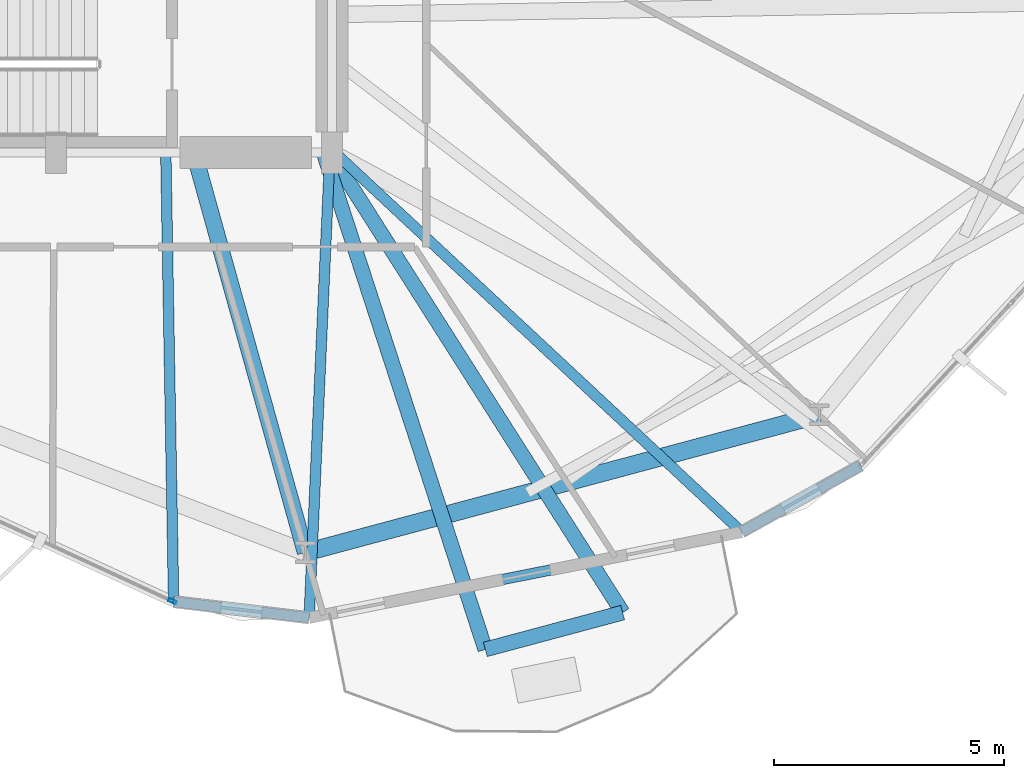
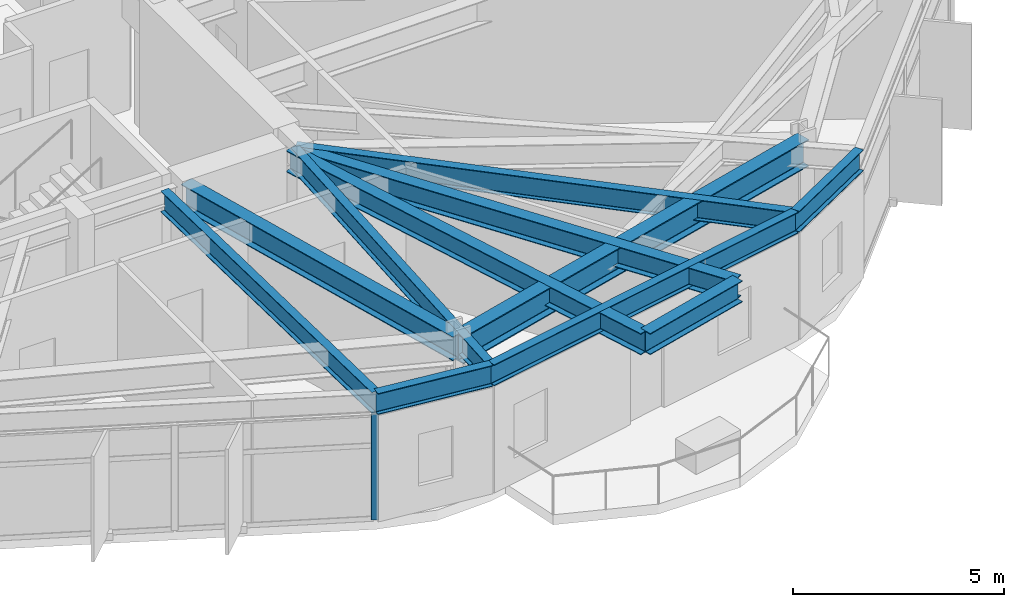
# One storey, part 4 of 22: 11 beams, 1 member, 1 element without a shape of its own.
"""IFC4 building model written with IfcOpenShell, lengths in metres."""

from ifc_helpers import new_model, si_unit, direction, frame, origin, origin_2d, place, context, subcontext, project, spatial, hollow_rectangle, i_section, extrude, material, layer, layer_set, material_profile, profile_set, type_object, element, aggregate, save


model = new_model("IFC4")

# Units and contexts
model_context = context("Model", 3, precision=1e-05, world=origin(), true_north=direction((0.0, 1.0)))
body_context = subcontext(model_context, "Body", "Model", "MODEL_VIEW")
ifc_project = project(units=[si_unit("LENGTHUNIT", "METRE"), si_unit("AREAUNIT", "SQUARE_METRE"), si_unit("VOLUMEUNIT", "CUBIC_METRE"), si_unit("PLANEANGLEUNIT", "RADIAN"), si_unit("MASSUNIT", "GRAM", prefix="KILO")], contexts=[model_context])

# Site, building, storey
site_placement = place(None, origin())
site = spatial("IfcSite", under=ifc_project, at=site_placement, CompositionType="ELEMENT")
building_placement = place(site_placement, origin())
building = spatial("IfcBuilding", under=site, at=building_placement, Name="Soratama Intermodal Tower", CompositionType="ELEMENT")
storey_placement = place(building_placement, frame((0.0, 0.0, 70.60009765625)))
storey = spatial("IfcBuildingStorey", under=building, at=storey_placement, Name="L16", CompositionType="ELEMENT", Elevation=70.60009765625)

# Beams
ifc_material_1 = material(Name="Structural steel ASTM A992 Grade 50", Category="steel")
ifc_material_profile_1 = material_profile(ifc_material_1, i_section(OverallWidth=0.324951171875, OverallDepth=0.615966796875, WebThickness=0.013916015625, FlangeThickness=0.021484375, FilletRadius=0.013916015625, at=origin_2d()), Name="W24X117")
ifc_profile_set_1 = profile_set([ifc_material_profile_1], Name="Structural steel ASTM A992 Grade 50")
beam_type_1 = type_object("IfcBeamType", Name="BM-CANT-W24X117", PredefinedType="BEAM", material=ifc_profile_set_1)
beam_1_placement = place(storey_placement, frame((47.93310546875, 4.197998046875, 3.391845703125), z_axis=(0.965926194008, 0.258817672753, 0.0), x_axis=(-0.258817672753, 0.965926194008, 0.0)))
element("IfcBeam", 1, at=beam_1_placement, inside=storey, type_object=beam_type_1, Name="BM-L16-CBHDR-3", PredefinedType="BEAM", context=body_context, shape_type="SweptSolid", body=[
    extrude(i_section(OverallWidth=0.324951171875, OverallDepth=0.615966796875, WebThickness=0.013916015625, FlangeThickness=0.021484375, FilletRadius=0.013916015625, at=origin_2d()), origin(), (0.0, 0.0, 1.0), 3.091064453125),
])
beam_2_placement = place(storey_placement, frame((44.429931640625, 14.9619140625, 3.391845703125), z_axis=(0.309477657573, -0.950906714385, 0.0), x_axis=(0.950906714385, 0.309477657573, 0.0)))
element("IfcBeam", 2, at=beam_2_placement, inside=storey, type_object=beam_type_1, Name="BM-L16-CANT-3-1", PredefinedType="BEAM", context=body_context, shape_type="SweptSolid", body=[
    extrude(i_section(OverallWidth=0.324951171875, OverallDepth=0.615966796875, WebThickness=0.013916015625, FlangeThickness=0.021484375, FilletRadius=0.013916015625, at=origin_2d()), origin(), (0.0, 0.0, 1.0), 11.319580078125),
])
beam_3_placement = place(storey_placement, frame((44.572021484375, 14.966064453125, 3.391845703125), z_axis=(0.537094711774, -0.843521944341, 0.0), x_axis=(0.843521944341, 0.537094711774, 0.0)))
element("IfcBeam", 3, at=beam_3_placement, inside=storey, type_object=beam_type_1, Name="BM-L16-CANT-3-2", PredefinedType="BEAM", context=body_context, shape_type="SweptSolid", body=[
    extrude(i_section(OverallWidth=0.324951171875, OverallDepth=0.615966796875, WebThickness=0.013916015625, FlangeThickness=0.021484375, FilletRadius=0.013916015625, at=origin_2d()), origin(), (0.0, 0.0, 1.0), 11.817138671875),
])
ifc_material_2 = material(Name="Structural steel ASTM A992 Grade 50", Category="steel")
ifc_material_profile_2 = material_profile(ifc_material_2, i_section(OverallWidth=0.35498046875, OverallDepth=0.695068359375, WebThickness=0.015380859375, FlangeThickness=0.02490234375, FilletRadius=0.01611328125, at=origin_2d()), Name="W27X146")
ifc_profile_set_2 = profile_set([ifc_material_profile_2], Name="Structural steel ASTM A992 Grade 50")
beam_type_2 = type_object("IfcBeamType", Name="BM-RING-W27X146", PredefinedType="BEAM", material=ifc_profile_set_2)
beam_4_placement = place(storey_placement, frame((41.60009765625, 15.0, 3.352294921875), z_axis=(0.26814752121, -0.963377862974, 0.0), x_axis=(0.963377862974, 0.26814752121, 0.0)))
element("IfcBeam", 4, at=beam_4_placement, inside=storey, type_object=beam_type_2, Name="BM-L16-RAD-08", PredefinedType="BEAM", context=body_context, shape_type="SweptSolid", body=[
    extrude(i_section(OverallWidth=0.35498046875, OverallDepth=0.695068359375, WebThickness=0.015380859375, FlangeThickness=0.02490234375, FilletRadius=0.01611328125, at=origin_2d()), origin(), (0.0, 0.0, 1.0), 9.024658203125),
])
ifc_material_3 = material(Name="Structural steel ASTM A992 Grade 50", Category="steel")
ifc_material_profile_3 = material_profile(ifc_material_3, i_section(OverallWidth=0.382080078125, OverallDepth=0.779052734375, WebThickness=0.01806640625, FlangeThickness=0.030029296875, FilletRadius=0.01806640625, at=origin_2d()), Name="W30X191")
ifc_profile_set_3 = profile_set([ifc_material_profile_3], Name="Structural steel ASTM A992 Grade 50")
beam_type_3 = type_object("IfcBeamType", Name="BM-RING-W30X191", PredefinedType="BEAM", material=ifc_profile_set_3)
beam_5_placement = place(storey_placement, frame((44.02001953125, 6.305908203125, 3.310302734375), z_axis=(0.965935902196, 0.258781438376, 0.0), x_axis=(-0.258781438376, 0.965935902196, 0.0)))
element("IfcBeam", 5, at=beam_5_placement, inside=storey, type_object=beam_type_3, Name="BM-L16-RING-08", PredefinedType="BEAM", context=body_context, shape_type="SweptSolid", body=[
    extrude(i_section(OverallWidth=0.382080078125, OverallDepth=0.779052734375, WebThickness=0.01806640625, FlangeThickness=0.030029296875, FilletRadius=0.01806640625, at=origin_2d()), origin(), (0.0, 0.0, 1.0), 11.570068359375),
])
ifc_material_4 = material(Name="Structural steel ASTM A992 Grade 50", Category="steel")
ifc_material_profile_4 = material_profile(ifc_material_4, i_section(OverallWidth=0.22900390625, OverallDepth=0.612060546875, WebThickness=0.011962890625, FlangeThickness=0.01953125, FilletRadius=0.012939453125, at=origin_2d()), Name="W24X84")
ifc_profile_set_4 = profile_set([ifc_material_profile_4], Name="Structural steel ASTM A992 Grade 50")
beam_type_4 = type_object("IfcBeamType", Name="BM-SPN-W24X84", PredefinedType="SPANDREL", material=ifc_profile_set_4)
beam_6_placement = place(storey_placement, frame((41.156005859375, 5.23388671875, 3.393798828125), z_axis=(0.993022501808, -0.117925022383, 0.0), x_axis=(0.117925022383, 0.993022501808, 0.0)))
element("IfcBeam", 6, at=beam_6_placement, inside=storey, type_object=beam_type_4, Name="BS-L16-CRN07", PredefinedType="SPANDREL", context=body_context, shape_type="SweptSolid", body=[
    extrude(i_section(OverallWidth=0.22900390625, OverallDepth=0.612060546875, WebThickness=0.011962890625, FlangeThickness=0.01953125, FilletRadius=0.012939453125, at=origin_2d()), origin(), (0.0, 0.0, 1.0), 2.966796875),
])
beam_7_placement = place(storey_placement, frame((44.10205078125, 4.884033203125, 3.393798828125), z_axis=(0.98088885747, 0.19456888058, 0.0), x_axis=(-0.19456888058, 0.98088885747, 0.0)))
element("IfcBeam", 7, at=beam_7_placement, inside=storey, type_object=beam_type_4, Name="BS-L16-F08", PredefinedType="SPANDREL", context=body_context, shape_type="SweptSolid", body=[
    extrude(i_section(OverallWidth=0.22900390625, OverallDepth=0.612060546875, WebThickness=0.011962890625, FlangeThickness=0.01953125, FilletRadius=0.012939453125, at=origin_2d()), origin(), (0.0, 0.0, 1.0), 9.59033203125),
])
beam_8_placement = place(storey_placement, frame((53.509033203125, 6.75, 3.393798828125), z_axis=(0.872759930087, 0.488149674212, 0.0), x_axis=(-0.488149674212, 0.872759930087, 0.0)))
element("IfcBeam", 8, at=beam_8_placement, inside=storey, type_object=beam_type_4, Name="BS-L16-CRN08", PredefinedType="SPANDREL", context=body_context, shape_type="SweptSolid", body=[
    extrude(i_section(OverallWidth=0.22900390625, OverallDepth=0.612060546875, WebThickness=0.011962890625, FlangeThickness=0.01953125, FilletRadius=0.012939453125, at=origin_2d()), origin(), (0.0, 0.0, 1.0), 2.96630859375),
])
ifc_material_5 = material(Name="Structural steel ASTM A992 Grade 50", Category="steel")
ifc_material_profile_5 = material_profile(ifc_material_5, i_section(OverallWidth=0.22900390625, OverallDepth=0.612060546875, WebThickness=0.011962890625, FlangeThickness=0.01953125, FilletRadius=0.012939453125, at=origin_2d()), Name="W24X84")
ifc_profile_set_5 = profile_set([ifc_material_profile_5], Name="Structural steel ASTM A992 Grade 50")
beam_type_5 = type_object("IfcBeamType", Name="BM-TIE-W24X84", PredefinedType="BEAM", material=ifc_profile_set_5)
beam_9_placement = place(storey_placement, frame((40.987060546875, 14.9599609375, 3.393798828125), z_axis=(0.01736772994, -0.999849169603, 0.0), x_axis=(0.999849169603, 0.01736772994, 0.0)))
element("IfcBeam", 9, at=beam_9_placement, inside=storey, type_object=beam_type_5, Name="BM-L16-TIE1-07", PredefinedType="BEAM", context=body_context, shape_type="SweptSolid", body=[
    extrude(i_section(OverallWidth=0.22900390625, OverallDepth=0.612060546875, WebThickness=0.011962890625, FlangeThickness=0.01953125, FilletRadius=0.012939453125, at=origin_2d()), origin(), (0.0, 0.0, 1.0), 9.7275390625),
])
beam_10_placement = place(storey_placement, frame((44.552001953125, 14.9599609375, 3.393798828125), z_axis=(-0.044611594642, -0.999004407209, 0.0), x_axis=(0.999004407209, -0.044611594642, 0.0)))
element("IfcBeam", 10, at=beam_10_placement, inside=storey, type_object=beam_type_5, Name="BM-L16-TIE0-08", PredefinedType="BEAM", context=body_context, shape_type="SweptSolid", body=[
    extrude(i_section(OverallWidth=0.22900390625, OverallDepth=0.612060546875, WebThickness=0.011962890625, FlangeThickness=0.01953125, FilletRadius=0.012939453125, at=origin_2d()), origin(), (0.0, 0.0, 1.0), 10.0859375),
])
beam_11_placement = place(storey_placement, frame((44.62890625, 15.031005859375, 3.393798828125), z_axis=(0.731347395667, -0.682005122306, 0.0), x_axis=(0.682005122306, 0.731347395667, 0.0)))
element("IfcBeam", 11, at=beam_11_placement, inside=storey, type_object=beam_type_5, Name="BM-L16-TIE1-08", PredefinedType="BEAM", context=body_context, shape_type="SweptSolid", body=[
    extrude(i_section(OverallWidth=0.22900390625, OverallDepth=0.612060546875, WebThickness=0.011962890625, FlangeThickness=0.01953125, FilletRadius=0.012939453125, at=origin_2d()), origin(), (0.0, 0.0, 1.0), 12.14208984375),
])

# Curtain wall, member
ifc_material_6 = material(Name="Double-glazed aluminium curtain wall", Category="aluminium")
ifc_layer = layer(ifc_material_6, 0.159912109375)
ifc_layer_set = layer_set([ifc_layer], Name="Double-glazed aluminium curtain wall")
curtain_wall_type = type_object("IfcCurtainWallType", Name="CW-SYS-2", PredefinedType="NOTDEFINED", material=ifc_layer_set)
curtain_wall_placement = place(storey_placement, origin())
curtain_wall = element("IfcCurtainWall", 12, at=curtain_wall_placement, inside=storey, type_object=curtain_wall_type, Name="L16 Faceted Curtain Wall F07", PredefinedType="NOTDEFINED")
ifc_material_7 = material(Name="Anodised aluminium AA 6063-T6", Category="aluminium")
ifc_material_profile_6 = material_profile(ifc_material_7, hollow_rectangle(XDim=0.074951171875, YDim=0.179931640625, WallThickness=0.006103515625, InnerFilletRadius=0.006103515625, OuterFilletRadius=0.011962890625, at=origin_2d()), Name="CWM180X75X6")
ifc_profile_set_6 = profile_set([ifc_material_profile_6], Name="Anodised aluminium AA 6063-T6")
member_type = type_object("IfcMemberType", Name="MT-CWM-2", PredefinedType="MULLION", material=ifc_profile_set_6)
member_placement = place(storey_placement, frame((41.129150390625, 5.24658203125, 0.0), z_axis=(0.0, 0.0, 1.0), x_axis=(0.419137529357, 0.907922756343, 0.0)))
member = element("IfcMember", 13, at=member_placement, type_object=member_type, Name="CW-2 mullion 3", PredefinedType="MULLION", context=body_context, shape_type="SweptSolid", body=[
    extrude(hollow_rectangle(XDim=0.074951171875, YDim=0.179931640625, WallThickness=0.006103515625, InnerFilletRadius=0.006103515625, OuterFilletRadius=0.011962890625, at=origin_2d()), origin(), (0.0, 0.0, 1.0), 3.078857421875),
])
aggregate(curtain_wall, [member])

save(model, "model.ifc")
